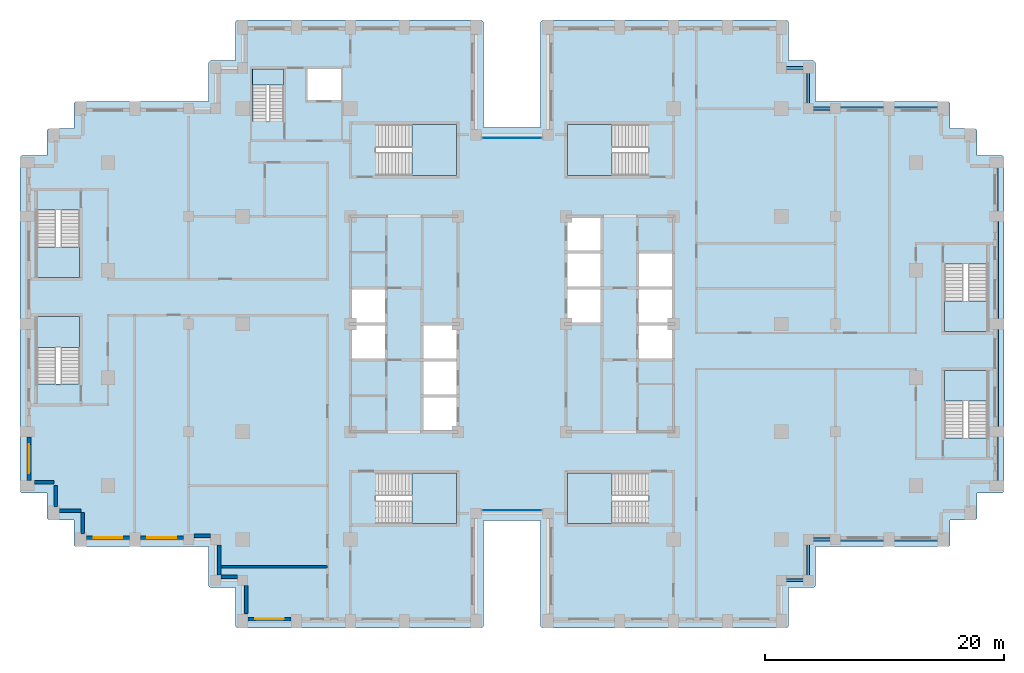
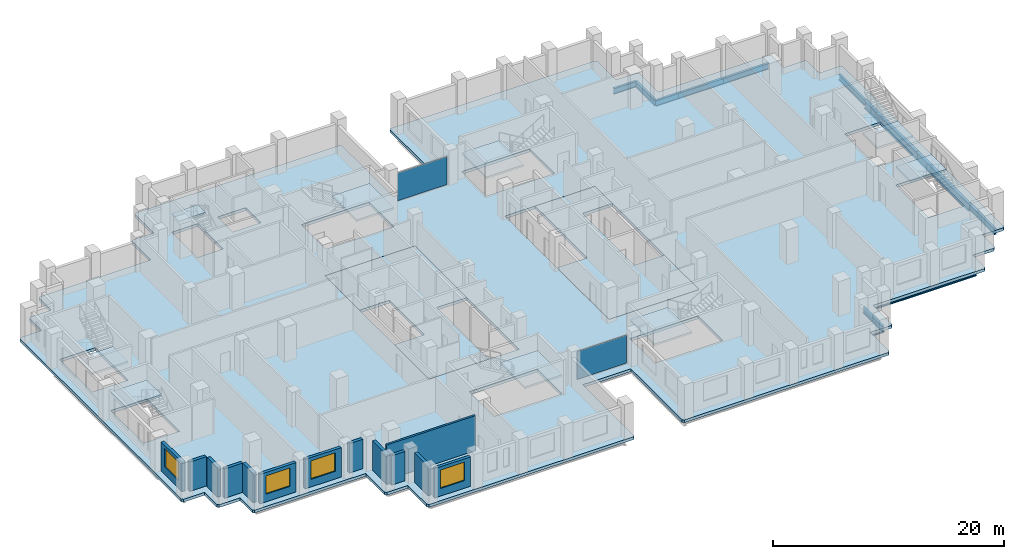
# One storey, part 5 of 15: 14 beams, 13 walls, 12 slabs, 4 windows, 2 plates, 4 openings, 11 elements without a shape of their own.
"""IFC4 building model written with IfcOpenShell, lengths in metres."""

from ifc_helpers import new_model, si_unit, direction, frame, frame_2d, origin, origin_2d, place, context, subcontext, project, spatial, polyline, rectangle, i_section, outline, extrude, material, layer, layer_set, material_profile, profile_set, type_object, element, fill, aggregate, save


model = new_model("IFC4")

# Units and contexts
model_context = context("Model", 3, precision=1e-05, world=origin(), true_north=direction((0.0, 1.0)))
body_context = subcontext(model_context, "Body", "Model", "MODEL_VIEW")
ifc_project = project(units=[si_unit("LENGTHUNIT", "METRE"), si_unit("AREAUNIT", "SQUARE_METRE"), si_unit("VOLUMEUNIT", "CUBIC_METRE"), si_unit("PLANEANGLEUNIT", "RADIAN"), si_unit("MASSUNIT", "GRAM", prefix="KILO")], contexts=[model_context])

# Site, building, storey
site_placement = place(None, origin())
site = spatial("IfcSite", under=ifc_project, at=site_placement, CompositionType="ELEMENT")
building_placement = place(site_placement, origin())
building = spatial("IfcBuilding", under=site, at=building_placement, Name="Corbelhall Arena Tower", CompositionType="ELEMENT")
storey_placement = place(building_placement, frame((0.0, 0.0, 80.0)))
storey = spatial("IfcBuildingStorey", under=building, at=storey_placement, Name="L12", CompositionType="ELEMENT", Elevation=80.0)

# Beams
ifc_material_1 = material(Name="Steel ASTM A992 Gr50", Category="steel")
ifc_material_profile_1 = material_profile(ifc_material_1, i_section(OverallWidth=0.23046875, OverallDepth=0.6171875, WebThickness=0.01318359375, FlangeThickness=0.022216796875, at=origin_2d()))
ifc_profile_set_1 = profile_set([ifc_material_profile_1], Name="Steel ASTM A992 Gr50")
beam_type_1 = type_object("IfcBeamType", Name="ST-SPANDREL-W24x94", PredefinedType="SPANDREL", material=ifc_profile_set_1)
for number, where, z_axis, x_axis, name in (
    (1, (40.5, 13.5, -0.608642578125), (0.0, -1.0, 0.0), (1.0, 0.0, 0.0), "Beam SP 10"),
    (2, (40.5, -9.0, -0.608642578125), (0.0, -1.0, 0.0), (1.0, 0.0, 0.0), "Beam SP 11"),
    (3, (31.5, 18.0, -0.608642578125), (1.0, 0.0, 0.0), (0.0, 1.0, 0.0), "Beam SP 12"),
    (4, (31.5, -18.0, -0.608642578125), (-1.0, 0.0, 0.0), (0.0, -1.0, 0.0), "Beam SP 13"),
    (5, (36.0, -18.0, -0.608642578125), (-1.0, 0.0, 0.0), (0.0, -1.0, 0.0), "Beam SP 14"),
    (6, (27.0, 18.0, -0.608642578125), (1.0, 0.0, 0.0), (0.0, 1.0, 0.0), "Beam SP 15"),
):
    element("IfcBeam", number, at=place(storey_placement, frame(where, z_axis=z_axis, x_axis=x_axis)), inside=storey, type_object=beam_type_1, Name=name, PredefinedType="SPANDREL", context=body_context, shape_type="SweptSolid", body=[
        extrude(i_section(OverallWidth=0.23046875, OverallDepth=0.6171875, WebThickness=0.01318359375, FlangeThickness=0.022216796875, at=origin_2d()), origin(), (0.0, 0.0, 1.0), 4.5),
    ])
for number, where, z_axis, x_axis, name in (
    (7, (27.0, -18.0, -0.608642578125), (-1.0, 0.0, 0.0), (0.0, -1.0, 0.0), "Beam SP 16"),
    (8, (22.5, 21.39990234375, -0.608642578125), (1.0, 0.0, 0.0), (0.0, 1.0, 0.0), "Beam SP 43"),
):
    element("IfcBeam", number, at=place(storey_placement, frame(where, z_axis=z_axis, x_axis=x_axis)), inside=storey, type_object=beam_type_1, Name=name, PredefinedType="SPANDREL", context=body_context, shape_type="SweptSolid", body=[
        extrude(i_section(OverallWidth=0.23046875, OverallDepth=0.6171875, WebThickness=0.01318359375, FlangeThickness=0.022216796875, at=origin_2d()), origin(), (0.0, 0.0, 1.0), 2.25),
    ])
beam_1_placement = place(storey_placement, frame((24.75, 21.39990234375, -0.608642578125), z_axis=(0.0, -1.0, 0.0), x_axis=(1.0, 0.0, 0.0)))
element("IfcBeam", 9, at=beam_1_placement, inside=storey, type_object=beam_type_1, Name="Beam SP 44", PredefinedType="SPANDREL", context=body_context, shape_type="SweptSolid", body=[
    extrude(i_section(OverallWidth=0.23046875, OverallDepth=0.6171875, WebThickness=0.01318359375, FlangeThickness=0.022216796875, at=origin_2d()), origin(), (0.0, 0.0, 1.0), 3.39990234375),
])
for number, where, z_axis, x_axis, name in (
    (10, (24.75, 18.0, -0.608642578125), (1.0, 0.0, 0.0), (0.0, 1.0, 0.0), "Beam SP 45"),
    (11, (24.75, -21.39990234375, -0.608642578125), (-1.0, 0.0, 0.0), (0.0, -1.0, 0.0), "Beam SP 50"),
):
    element("IfcBeam", number, at=place(storey_placement, frame(where, z_axis=z_axis, x_axis=x_axis)), inside=storey, type_object=beam_type_1, Name=name, PredefinedType="SPANDREL", context=body_context, shape_type="SweptSolid", body=[
        extrude(i_section(OverallWidth=0.23046875, OverallDepth=0.6171875, WebThickness=0.01318359375, FlangeThickness=0.022216796875, at=origin_2d()), origin(), (0.0, 0.0, 1.0), 2.25),
    ])
beam_2_placement = place(storey_placement, frame((24.75, -18.0, -0.608642578125), z_axis=(0.0, -1.0, 0.0), x_axis=(1.0, 0.0, 0.0)))
element("IfcBeam", 12, at=beam_2_placement, inside=storey, type_object=beam_type_1, Name="Beam SP 51", PredefinedType="SPANDREL", context=body_context, shape_type="SweptSolid", body=[
    extrude(i_section(OverallWidth=0.23046875, OverallDepth=0.6171875, WebThickness=0.01318359375, FlangeThickness=0.022216796875, at=origin_2d()), origin(), (0.0, 0.0, 1.0), 3.39990234375),
])
ifc_material_profile_2 = material_profile(ifc_material_1, i_section(OverallWidth=0.2919921875, OverallDepth=0.845703125, WebThickness=0.015380859375, FlangeThickness=0.0244140625, at=origin_2d()))
ifc_profile_set_2 = profile_set([ifc_material_profile_2], Name="Steel ASTM A992 Gr50")
beam_type_2 = type_object("IfcBeamType", Name="ST-SPANDREL-W33x141", PredefinedType="SPANDREL", material=ifc_profile_set_2)
for number, where, z_axis, x_axis, name in (
    (13, (40.5, 0.0, -0.722900390625), (0.0, -1.0, 0.0), (1.0, 0.0, 0.0), "Beam SP 8"),
    (14, (40.5, 9.0, -0.722900390625), (0.0, -1.0, 0.0), (1.0, 0.0, 0.0), "Beam SP 9"),
):
    element("IfcBeam", number, at=place(storey_placement, frame(where, z_axis=z_axis, x_axis=x_axis)), inside=storey, type_object=beam_type_2, Name=name, PredefinedType="SPANDREL", context=body_context, shape_type="SweptSolid", body=[
        extrude(i_section(OverallWidth=0.2919921875, OverallDepth=0.845703125, WebThickness=0.015380859375, FlangeThickness=0.0244140625, at=origin_2d()), origin(), (0.0, 0.0, 1.0), 9.0),
    ])

# Curtain wall, plate
ifc_material_2 = material(Name="Aluminium black anodised", Category="aluminium")
ifc_layer_1 = layer(ifc_material_2, 0.199951171875)
ifc_layer_set_1 = layer_set([ifc_layer_1], Name="EV-CW1 Slot back wall")
curtain_wall_type = type_object("IfcCurtainWallType", Name="EV-CW1 Slot back wall", PredefinedType="NOTDEFINED", material=ifc_layer_set_1)
curtain_wall_1_placement = place(storey_placement, origin())
curtain_wall_1 = element("IfcCurtainWall", 15, at=curtain_wall_1_placement, inside=storey, type_object=curtain_wall_type, Name="Curtain wall CW1", PredefinedType="NOTDEFINED")
ifc_material_3 = material(Name="Glass dark tinted laminated", Category="glass")
ifc_layer_2 = layer(ifc_material_3, 0.028076171875)
ifc_layer_set_2 = layer_set([ifc_layer_2], Name="EV-CW1-PANEL")
plate_type = type_object("IfcPlateType", Name="EV-CW1-PANEL", PredefinedType="CURTAIN_PANEL", material=ifc_layer_set_2)
plate_1_placement = place(storey_placement, frame((0.0, -15.550048828125, 0.0751953125), z_axis=(0.0, 0.0, 1.0), x_axis=(1.0, 0.0, 0.0)))
plate_1 = element("IfcPlate", 16, at=plate_1_placement, type_object=plate_type, Name="CW1 panel 1.1", PredefinedType="CURTAIN_PANEL", context=body_context, shape_type="SweptSolid", body=[
    extrude(rectangle(XDim=4.949951171875, YDim=0.028076171875, at=origin_2d()), origin(), (0.0, 0.0, 1.0), 2.949951171875),
])
aggregate(curtain_wall_1, [plate_1])

curtain_wall_2_placement = place(storey_placement, origin())
curtain_wall_2 = element("IfcCurtainWall", 17, at=curtain_wall_2_placement, inside=storey, type_object=curtain_wall_type, Name="Curtain wall CW1", PredefinedType="NOTDEFINED")
plate_2_placement = place(storey_placement, frame((0.0, 15.550048828125, 0.0751953125), z_axis=(0.0, 0.0, 1.0), x_axis=(-1.0, 0.0, 0.0)))
plate_2 = element("IfcPlate", 18, at=plate_2_placement, type_object=plate_type, Name="CW1 panel 1.1", PredefinedType="CURTAIN_PANEL", context=body_context, shape_type="SweptSolid", body=[
    extrude(rectangle(XDim=4.949951171875, YDim=0.028076171875, at=origin_2d()), origin(), (0.0, 0.0, 1.0), 2.949951171875),
])
aggregate(curtain_wall_2, [plate_2])

# Slabs
ifc_material_4 = material(Name="Concrete C40/50", Category="concrete")
ifc_layer_3 = layer(ifc_material_4, 0.300048828125)
ifc_layer_set_3 = layer_set([ifc_layer_3], Name="IN-SL-CORE")
slab_type_1 = type_object("IfcSlabType", Name="IN-SL-CORE", PredefinedType="FLOOR", material=ifc_layer_set_3)
slab_1_placement = place(storey_placement, frame((0.0, 0.0, -0.300048828125)))
element("IfcSlab", 19, at=slab_1_placement, inside=storey, type_object=slab_type_1, Name="Core floor W", PredefinedType="FLOOR", context=body_context, shape_type="SweptSolid", body=[
    extrude(outline(polyline([(-7.5, 0.0), (-4.5, 0.0), (-4.5, 9.0), (-13.5, 9.0), (-13.5, 3.0), (-10.5, 3.0), (-10.5, 0.0), (-10.5, -3.0), (-13.5, -3.0), (-13.5, -9.0), (-7.5, -9.0), (-7.5, -6.0), (-7.5, -3.0), (-7.5, 0.0)])), origin(), (0.0, 0.0, 1.0), 0.300048828125),
])
slab_2_placement = place(storey_placement, frame((0.0, 0.0, -0.300048828125)))
element("IfcSlab", 20, at=slab_2_placement, inside=storey, type_object=slab_type_1, Name="Core floor E", PredefinedType="FLOOR", context=body_context, shape_type="SweptSolid", body=[
    extrude(outline(polyline([(7.5, 0.0), (4.5, 0.0), (4.5, -9.0), (13.5, -9.0), (13.5, -3.0), (10.5, -3.0), (10.5, 0.0), (10.5, 3.0), (10.5, 6.0), (13.5, 6.0), (13.5, 9.0), (7.5, 9.0), (7.5, 6.0), (7.5, 3.0), (7.5, 0.0)])), origin(), (0.0, 0.0, 1.0), 0.300048828125),
])

# Stair, slab
stair_type = type_object("IfcStairType", Name="IN-ST-TOWER", PredefinedType="HALF_TURN_STAIR", material=ifc_material_4)
stair_1_placement = place(storey_placement, origin())
stair_1 = element("IfcStair", 21, at=stair_1_placement, inside=storey, type_object=stair_type, Name="L12 Exit stair ST1", PredefinedType="HALF_TURN_STAIR")
ifc_layer_4 = layer(ifc_material_4, 0.199951171875)
ifc_layer_set_4 = layer_set([ifc_layer_4], Name="IN-SL-LANDING")
slab_type_2 = type_object("IfcSlabType", Name="IN-SL-LANDING", PredefinedType="LANDING", material=ifc_layer_set_4)
slab_3_placement = place(storey_placement, frame((0.0, 0.0, 1.800048828125)))
slab_3 = element("IfcSlab", 22, at=slab_3_placement, type_object=slab_type_2, Name="ST1 landing 1", PredefinedType="LANDING", context=body_context, shape_type="SweptSolid", body=[
    extrude(outline(polyline([(-8.344970703125, 12.425048828125), (-4.625, 12.425048828125), (-4.625, 16.675048828125), (-8.344970703125, 16.675048828125), (-8.344970703125, 12.425048828125)])), origin(), (0.0, 0.0, 1.0), 0.199951171875),
])
aggregate(stair_1, [slab_3])

stair_2_placement = place(storey_placement, origin())
stair_2 = element("IfcStair", 23, at=stair_2_placement, inside=storey, type_object=stair_type, Name="L12 Exit stair ST2", PredefinedType="HALF_TURN_STAIR")
slab_4_placement = place(storey_placement, frame((0.0, 0.0, 1.800048828125)))
slab_4 = element("IfcSlab", 24, at=slab_4_placement, type_object=slab_type_2, Name="ST2 landing 1", PredefinedType="LANDING", context=body_context, shape_type="SweptSolid", body=[
    extrude(outline(polyline([(-8.344970703125, -16.675048828125), (-4.625, -16.675048828125), (-4.625, -12.425048828125), (-8.344970703125, -12.425048828125), (-8.344970703125, -16.675048828125)])), origin(), (0.0, 0.0, 1.0), 0.199951171875),
])
aggregate(stair_2, [slab_4])

stair_3_placement = place(storey_placement, origin())
stair_3 = element("IfcStair", 25, at=stair_3_placement, inside=storey, type_object=stair_type, Name="L12 Exit stair ST3", PredefinedType="HALF_TURN_STAIR")
slab_5_placement = place(storey_placement, frame((0.0, 0.0, 1.800048828125)))
slab_5 = element("IfcSlab", 26, at=slab_5_placement, type_object=slab_type_2, Name="ST3 landing 1", PredefinedType="LANDING", context=body_context, shape_type="SweptSolid", body=[
    extrude(outline(polyline([(8.344970703125, 16.675048828125), (4.625, 16.675048828125), (4.625, 12.425048828125), (8.344970703125, 12.425048828125), (8.344970703125, 16.675048828125)])), origin(), (0.0, 0.0, 1.0), 0.199951171875),
])
aggregate(stair_3, [slab_5])

stair_4_placement = place(storey_placement, origin())
stair_4 = element("IfcStair", 27, at=stair_4_placement, inside=storey, type_object=stair_type, Name="L12 Exit stair ST4", PredefinedType="HALF_TURN_STAIR")
slab_6_placement = place(storey_placement, frame((0.0, 0.0, 1.800048828125)))
slab_6 = element("IfcSlab", 28, at=slab_6_placement, type_object=slab_type_2, Name="ST4 landing 1", PredefinedType="LANDING", context=body_context, shape_type="SweptSolid", body=[
    extrude(outline(polyline([(8.344970703125, -12.425048828125), (4.625, -12.425048828125), (4.625, -16.675048828125), (8.344970703125, -16.675048828125), (8.344970703125, -12.425048828125)])), origin(), (0.0, 0.0, 1.0), 0.199951171875),
])
aggregate(stair_4, [slab_6])

stair_5_placement = place(storey_placement, origin())
stair_5 = element("IfcStair", 29, at=stair_5_placement, inside=storey, type_object=stair_type, Name="L12 Exit stair SC1", PredefinedType="HALF_TURN_STAIR")
slab_7_placement = place(storey_placement, frame((0.0, 0.0, 1.800048828125)))
slab_7 = element("IfcSlab", 30, at=slab_7_placement, type_object=slab_type_2, Name="SC1 landing 1", PredefinedType="LANDING", context=body_context, shape_type="SweptSolid", body=[
    extrude(outline(polyline([(-39.699951171875, 6.445068359375), (-39.699951171875, 3.875), (-36.125, 3.875), (-36.125, 6.445068359375), (-39.699951171875, 6.445068359375)])), origin(), (0.0, 0.0, 1.0), 0.199951171875),
])
aggregate(stair_5, [slab_7])

stair_6_placement = place(storey_placement, origin())
stair_6 = element("IfcStair", 31, at=stair_6_placement, inside=storey, type_object=stair_type, Name="L12 Exit stair SC2", PredefinedType="HALF_TURN_STAIR")
slab_8_placement = place(storey_placement, frame((0.0, 0.0, 1.800048828125)))
slab_8 = element("IfcSlab", 32, at=slab_8_placement, type_object=slab_type_2, Name="SC2 landing 1", PredefinedType="LANDING", context=body_context, shape_type="SweptSolid", body=[
    extrude(outline(polyline([(-36.125, -1.945068359375), (-36.125, 0.625), (-39.699951171875, 0.625), (-39.699951171875, -1.945068359375), (-36.125, -1.945068359375)])), origin(), (0.0, 0.0, 1.0), 0.199951171875),
])
aggregate(stair_6, [slab_8])

stair_7_placement = place(storey_placement, origin())
stair_7 = element("IfcStair", 33, at=stair_7_placement, inside=storey, type_object=stair_type, Name="L12 Exit stair SD1", PredefinedType="HALF_TURN_STAIR")
slab_9_placement = place(storey_placement, frame((0.0, 0.0, 1.800048828125)))
slab_9 = element("IfcSlab", 34, at=slab_9_placement, type_object=slab_type_2, Name="SD1 landing 1", PredefinedType="LANDING", context=body_context, shape_type="SweptSolid", body=[
    extrude(outline(polyline([(39.699951171875, -6.445068359375), (39.699951171875, -3.875), (36.125, -3.875), (36.125, -6.445068359375), (39.699951171875, -6.445068359375)])), origin(), (0.0, 0.0, 1.0), 0.199951171875),
])
aggregate(stair_7, [slab_9])

stair_8_placement = place(storey_placement, origin())
stair_8 = element("IfcStair", 35, at=stair_8_placement, inside=storey, type_object=stair_type, Name="L12 Exit stair SD2", PredefinedType="HALF_TURN_STAIR")
slab_10_placement = place(storey_placement, frame((0.0, 0.0, 1.800048828125)))
slab_10 = element("IfcSlab", 36, at=slab_10_placement, type_object=slab_type_2, Name="SD2 landing 1", PredefinedType="LANDING", context=body_context, shape_type="SweptSolid", body=[
    extrude(outline(polyline([(36.125, 1.945068359375), (36.125, -0.625), (39.699951171875, -0.625), (39.699951171875, 1.945068359375), (36.125, 1.945068359375)])), origin(), (0.0, 0.0, 1.0), 0.199951171875),
])
aggregate(stair_8, [slab_10])

stair_9_placement = place(storey_placement, origin())
stair_9 = element("IfcStair", 37, at=stair_9_placement, inside=storey, type_object=stair_type, Name="L12 Exit stair ST5", PredefinedType="HALF_TURN_STAIR")
slab_11_placement = place(storey_placement, frame((0.0, 0.0, 1.800048828125)))
slab_11 = element("IfcSlab", 38, at=slab_11_placement, type_object=slab_type_2, Name="ST5 landing 1", PredefinedType="LANDING", context=body_context, shape_type="SweptSolid", body=[
    extrude(outline(polyline([(-19.094970703125, 19.97998046875), (-19.094970703125, 21.300048828125), (-21.695068359375, 21.300048828125), (-21.695068359375, 19.97998046875), (-19.094970703125, 19.97998046875)])), origin(), (0.0, 0.0, 1.0), 0.199951171875),
])
aggregate(stair_9, [slab_11])

# Slab
ifc_layer_5 = layer(ifc_material_4, 0.300048828125)
ifc_layer_set_5 = layer_set([ifc_layer_5], Name="ST-SLAB-FLOOR-300")
slab_type_3 = type_object("IfcSlabType", Name="ST-SLAB-FLOOR-300", PredefinedType="FLOOR", material=ifc_layer_set_5)
slab_12_placement = place(storey_placement, frame((0.0, 0.0, -0.300048828125)))
element("IfcSlab", 39, at=slab_12_placement, inside=storey, type_object=slab_type_3, Name="Floor slab L12 1", PredefinedType="FLOOR", context=body_context, shape_type="SweptSolid", body=[
    extrude(outline(polyline([(25.35009765625, 18.60009765625), (25.35009765625, 21.85009765625), (25.199951171875, 22.0), (23.10009765625, 22.0), (23.10009765625, 25.25), (22.949951171875, 25.39990234375), (2.550048828125, 25.39990234375), (2.39990234375, 25.25), (2.39990234375, 16.39990234375), (-2.39990234375, 16.39990234375), (-2.39990234375, 25.25), (-2.550048828125, 25.39990234375), (-22.949951171875, 25.39990234375), (-23.10009765625, 25.25), (-23.10009765625, 22.0), (-25.199951171875, 22.0), (-25.35009765625, 21.85009765625), (-25.35009765625, 18.60009765625), (-36.449951171875, 18.60009765625), (-36.60009765625, 18.449951171875), (-36.60009765625, 16.35009765625), (-38.699951171875, 16.35009765625), (-38.85009765625, 16.199951171875), (-38.85009765625, 14.10009765625), (-40.949951171875, 14.10009765625), (-41.10009765625, 13.949951171875), (-41.10009765625, -13.949951171875), (-40.949951171875, -14.10009765625), (-38.85009765625, -14.10009765625), (-38.85009765625, -16.199951171875), (-38.699951171875, -16.35009765625), (-36.60009765625, -16.35009765625), (-36.60009765625, -18.449951171875), (-36.449951171875, -18.60009765625), (-25.35009765625, -18.60009765625), (-25.35009765625, -21.85009765625), (-25.199951171875, -22.0), (-23.10009765625, -22.0), (-23.10009765625, -25.25), (-22.949951171875, -25.39990234375), (-2.550048828125, -25.39990234375), (-2.39990234375, -25.25), (-2.39990234375, -16.39990234375), (2.39990234375, -16.39990234375), (2.39990234375, -25.25), (2.550048828125, -25.39990234375), (22.949951171875, -25.39990234375), (23.10009765625, -25.25), (23.10009765625, -22.0), (25.199951171875, -22.0), (25.35009765625, -21.85009765625), (25.35009765625, -18.60009765625), (36.449951171875, -18.60009765625), (36.60009765625, -18.449951171875), (36.60009765625, -16.35009765625), (38.699951171875, -16.35009765625), (38.85009765625, -16.199951171875), (38.85009765625, -14.10009765625), (40.949951171875, -14.10009765625), (41.10009765625, -13.949951171875), (41.10009765625, 13.949951171875), (40.949951171875, 14.10009765625), (38.85009765625, 14.10009765625), (38.85009765625, 16.199951171875), (38.699951171875, 16.35009765625), (36.60009765625, 16.35009765625), (36.60009765625, 18.449951171875), (36.449951171875, 18.60009765625), (25.35009765625, 18.60009765625)]), holes=[polyline([(-13.5, 9.0), (-13.5, -9.0), (-4.5, -9.0), (-4.5, 9.0), (-13.5, 9.0)]), polyline([(4.5, 9.0), (4.5, -9.0), (13.5, -9.0), (13.5, 9.0), (4.5, 9.0)]), polyline([(-4.625, 16.675048828125), (-11.422119140625, 16.675048828125), (-11.422119140625, 12.425048828125), (-4.625, 12.425048828125), (-4.625, 16.675048828125)]), polyline([(-4.625, -16.675048828125), (-4.625, -12.425048828125), (-11.422119140625, -12.425048828125), (-11.422119140625, -16.675048828125), (-4.625, -16.675048828125)]), polyline([(11.422119140625, 16.675048828125), (4.625, 16.675048828125), (4.625, 12.425048828125), (11.422119140625, 12.425048828125), (11.422119140625, 16.675048828125)]), polyline([(11.422119140625, -16.675048828125), (11.422119140625, -12.425048828125), (4.625, -12.425048828125), (4.625, -16.675048828125), (11.422119140625, -16.675048828125)]), polyline([(-36.125, 3.875), (-36.125, 9.52197265625), (-39.699951171875, 9.52197265625), (-39.699951171875, 3.875), (-36.125, 3.875)]), polyline([(-36.125, 0.625), (-39.699951171875, 0.625), (-39.699951171875, -5.02197265625), (-36.125, -5.02197265625), (-36.125, 0.625)]), polyline([(39.699951171875, -9.52197265625), (39.699951171875, -3.875), (36.125, -3.875), (36.125, -9.52197265625), (39.699951171875, -9.52197265625)]), polyline([(39.699951171875, 5.02197265625), (36.125, 5.02197265625), (36.125, -0.625), (39.699951171875, -0.625), (39.699951171875, 5.02197265625)]), polyline([(-21.695068359375, 21.300048828125), (-21.695068359375, 16.903076171875), (-19.094970703125, 16.903076171875), (-19.094970703125, 21.300048828125), (-21.695068359375, 21.300048828125)]), polyline([(-14.300048828125, 21.300048828125), (-17.10009765625, 21.300048828125), (-17.10009765625, 18.699951171875), (-14.300048828125, 18.699951171875), (-14.300048828125, 21.300048828125)])]), origin(), (0.0, 0.0, 1.0), 0.300048828125),
])

# Walls
ifc_material_5 = material(Name="Precast concrete C40/50 with granite facing", Category="masonry")
ifc_layer_6 = layer(ifc_material_5, 0.300048828125)
ifc_layer_set_6 = layer_set([ifc_layer_6], Name="EV-IW1 Infill panel 300")
wall_type_1 = type_object("IfcWallType", Name="EV-IW1 Infill panel 300", PredefinedType="SOLIDWALL", material=ifc_layer_set_6)
wall_1_placement = place(storey_placement, frame((-39.89990234375, -13.199951171875, 0.0), z_axis=(0.0, 0.0, 1.0), x_axis=(1.0, 0.0, 0.0)))
element("IfcWall", 40, at=wall_1_placement, inside=storey, type_object=wall_type_1, Name="Infill panel IW1", PredefinedType="SOLIDWALL", context=body_context, shape_type="SweptSolid", body=[
    extrude(rectangle(XDim=1.64990234375, YDim=0.300048828125, at=frame_2d((0.824951171875, 0.0))), origin(), (0.0, 0.0, 1.0), 3.10009765625),
])
for number, where, z_axis, x_axis, name in (
    (41, (-38.10009765625, -15.300048828125, 0.0), (0.0, 0.0, 1.0), (0.0, 1.0, 0.0), "Infill panel IW1"),
    (42, (-37.800048828125, -15.60009765625, 0.0), (0.0, 0.0, 1.0), (1.0, 0.0, 0.0), "Infill panel IW1"),
    (43, (-35.85009765625, -17.550048828125, 0.0), (0.0, 0.0, 1.0), (0.0, 1.0, 0.0), "Infill panel IW1"),
):
    element("IfcWall", number, at=place(storey_placement, frame(where, z_axis=z_axis, x_axis=x_axis)), inside=storey, type_object=wall_type_1, Name=name, PredefinedType="SOLIDWALL", context=body_context, shape_type="SweptSolid", body=[
        extrude(rectangle(XDim=1.800048828125, YDim=0.300048828125, at=frame_2d((0.89990234375, 0.0))), origin(), (0.0, 0.0, 1.0), 3.10009765625),
    ])

# Wall, opening, window
wall_2_placement = place(storey_placement, frame((-40.35009765625, -9.449951171875, 0.0), z_axis=(0.0, 0.0, 1.0), x_axis=(0.0, -1.0, 0.0)))
wall_2 = element("IfcWall", 44, at=wall_2_placement, inside=storey, type_object=wall_type_1, Name="Infill panel IW1", PredefinedType="SOLIDWALL", context=body_context, shape_type="SweptSolid", body=[
    extrude(rectangle(XDim=3.60009765625, YDim=0.300048828125, at=frame_2d((1.800048828125, 0.0))), origin(), (0.0, 0.0, 1.0), 3.10009765625),
])
opening_1_placement = place(wall_2_placement, frame((0.60009765625, 0.0, 0.800048828125)))
opening_1 = element("IfcOpeningElement", 45, at=opening_1_placement, cuts=wall_2, Name="Opening WN1", PredefinedType="OPENING", context=body_context, shape_type="SweptSolid", body=[
    extrude(rectangle(XDim=2.39990234375, YDim=1.949951171875, at=frame_2d((1.199951171875, 0.97509765625))), frame((0.0, 0.14990234375, 0.0), z_axis=(0.0, -1.0, 0.0), x_axis=(1.0, 0.0, 0.0)), (0.0, 0.0, 1.0), 0.300048828125),
])
window_type = type_object("IfcWindowType", Name="EV-WN1 Office window", PartitioningType="SINGLE_PANEL", PredefinedType="WINDOW", material=ifc_material_2)
window_1_placement = place(opening_1_placement, origin())
window_1 = element("IfcWindow", 46, at=window_1_placement, inside=storey, type_object=window_type, Name="Window WN1", OverallHeight=1.949951171875, OverallWidth=2.39990234375, PartitioningType="SINGLE_PANEL", PredefinedType="WINDOW", context=body_context, shape_type="SweptSolid", body=[
    extrude(rectangle(XDim=2.39990234375, YDim=1.949951171875, at=frame_2d((1.199951171875, 0.97509765625))), frame((0.0, 0.030029296875, 0.0), z_axis=(0.0, -1.0, 0.0), x_axis=(1.0, 0.0, 0.0)), (0.0, 0.0, 1.0), 0.06005859375),
])
fill(opening_1, window_1)

wall_3_placement = place(storey_placement, frame((-35.550048828125, -17.85009765625, 0.0), z_axis=(0.0, 0.0, 1.0), x_axis=(1.0, 0.0, 0.0)))
wall_3 = element("IfcWall", 47, at=wall_3_placement, inside=storey, type_object=wall_type_1, Name="Infill panel IW1", PredefinedType="SOLIDWALL", context=body_context, shape_type="SweptSolid", body=[
    extrude(rectangle(XDim=3.60009765625, YDim=0.300048828125, at=frame_2d((1.800048828125, 0.0))), origin(), (0.0, 0.0, 1.0), 3.10009765625),
])
opening_2_placement = place(wall_3_placement, frame((0.60009765625, 0.0, 0.800048828125)))
opening_2 = element("IfcOpeningElement", 48, at=opening_2_placement, cuts=wall_3, Name="Opening WN1", PredefinedType="OPENING", context=body_context, shape_type="SweptSolid", body=[
    extrude(rectangle(XDim=2.39990234375, YDim=1.949951171875, at=frame_2d((1.199951171875, 0.97509765625))), frame((0.0, 0.14990234375, 0.0), z_axis=(0.0, -1.0, 0.0), x_axis=(1.0, 0.0, 0.0)), (0.0, 0.0, 1.0), 0.300048828125),
])
window_2_placement = place(opening_2_placement, origin())
window_2 = element("IfcWindow", 49, at=window_2_placement, inside=storey, type_object=window_type, Name="Window WN1", OverallHeight=1.949951171875, OverallWidth=2.39990234375, PartitioningType="SINGLE_PANEL", PredefinedType="WINDOW", context=body_context, shape_type="SweptSolid", body=[
    extrude(rectangle(XDim=2.39990234375, YDim=1.949951171875, at=frame_2d((1.199951171875, 0.97509765625))), frame((0.0, 0.030029296875, 0.0), z_axis=(0.0, -1.0, 0.0), x_axis=(1.0, 0.0, 0.0)), (0.0, 0.0, 1.0), 0.06005859375),
])
fill(opening_2, window_2)

wall_4_placement = place(storey_placement, frame((-31.050048828125, -17.85009765625, 0.0), z_axis=(0.0, 0.0, 1.0), x_axis=(1.0, 0.0, 0.0)))
wall_4 = element("IfcWall", 50, at=wall_4_placement, inside=storey, type_object=wall_type_1, Name="Infill panel IW1", PredefinedType="SOLIDWALL", context=body_context, shape_type="SweptSolid", body=[
    extrude(rectangle(XDim=3.60009765625, YDim=0.300048828125, at=frame_2d((1.800048828125, 0.0))), origin(), (0.0, 0.0, 1.0), 3.10009765625),
])
opening_3_placement = place(wall_4_placement, frame((0.60009765625, 0.0, 0.800048828125)))
opening_3 = element("IfcOpeningElement", 51, at=opening_3_placement, cuts=wall_4, Name="Opening WN1", PredefinedType="OPENING", context=body_context, shape_type="SweptSolid", body=[
    extrude(rectangle(XDim=2.39990234375, YDim=1.949951171875, at=frame_2d((1.199951171875, 0.97509765625))), frame((0.0, 0.14990234375, 0.0), z_axis=(0.0, -1.0, 0.0), x_axis=(1.0, 0.0, 0.0)), (0.0, 0.0, 1.0), 0.300048828125),
])
window_3_placement = place(opening_3_placement, origin())
window_3 = element("IfcWindow", 52, at=window_3_placement, inside=storey, type_object=window_type, Name="Window WN1", OverallHeight=1.949951171875, OverallWidth=2.39990234375, PartitioningType="SINGLE_PANEL", PredefinedType="WINDOW", context=body_context, shape_type="SweptSolid", body=[
    extrude(rectangle(XDim=2.39990234375, YDim=1.949951171875, at=frame_2d((1.199951171875, 0.97509765625))), frame((0.0, 0.030029296875, 0.0), z_axis=(0.0, -1.0, 0.0), x_axis=(1.0, 0.0, 0.0)), (0.0, 0.0, 1.0), 0.06005859375),
])
fill(opening_3, window_3)

# Walls
wall_5_placement = place(storey_placement, frame((-26.550048828125, -17.699951171875, 0.0), z_axis=(0.0, 0.0, 1.0), x_axis=(1.0, 0.0, 0.0)))
element("IfcWall", 53, at=wall_5_placement, inside=storey, type_object=wall_type_1, Name="Infill panel IW1", PredefinedType="SOLIDWALL", context=body_context, shape_type="SweptSolid", body=[
    extrude(rectangle(XDim=1.35009765625, YDim=0.300048828125, at=frame_2d((0.675048828125, 0.0))), origin(), (0.0, 0.0, 1.0), 3.10009765625),
])
wall_6_placement = place(storey_placement, frame((-24.449951171875, -18.449951171875, 0.0), z_axis=(0.0, 0.0, 1.0), x_axis=(0.0, -1.0, 0.0)))
element("IfcWall", 54, at=wall_6_placement, inside=storey, type_object=wall_type_1, Name="Infill panel IW1", PredefinedType="SOLIDWALL", context=body_context, shape_type="SweptSolid", body=[
    extrude(rectangle(XDim=2.5, YDim=0.300048828125, at=frame_2d((1.25, 0.0))), origin(), (0.0, 0.0, 1.0), 3.10009765625),
])
wall_7_placement = place(storey_placement, frame((-24.300048828125, -21.10009765625, 0.0), z_axis=(0.0, 0.0, 1.0), x_axis=(1.0, 0.0, 0.0)))
element("IfcWall", 55, at=wall_7_placement, inside=storey, type_object=wall_type_1, Name="Infill panel IW1", PredefinedType="SOLIDWALL", context=body_context, shape_type="SweptSolid", body=[
    extrude(rectangle(XDim=1.35009765625, YDim=0.300048828125, at=frame_2d((0.675048828125, 0.0))), origin(), (0.0, 0.0, 1.0), 3.10009765625),
])
wall_8_placement = place(storey_placement, frame((-22.199951171875, -21.85009765625, 0.0), z_axis=(0.0, 0.0, 1.0), x_axis=(0.0, -1.0, 0.0)))
element("IfcWall", 56, at=wall_8_placement, inside=storey, type_object=wall_type_1, Name="Infill panel IW1", PredefinedType="SOLIDWALL", context=body_context, shape_type="SweptSolid", body=[
    extrude(rectangle(XDim=2.349853515625, YDim=0.300048828125, at=frame_2d((1.1748046875, 0.0))), origin(), (0.0, 0.0, 1.0), 3.10009765625),
])

# Wall, opening, window
wall_9_placement = place(storey_placement, frame((-22.050048828125, -24.64990234375, 0.0), z_axis=(0.0, 0.0, 1.0), x_axis=(1.0, 0.0, 0.0)))
wall_9 = element("IfcWall", 57, at=wall_9_placement, inside=storey, type_object=wall_type_1, Name="Infill panel IW1", PredefinedType="SOLIDWALL", context=body_context, shape_type="SweptSolid", body=[
    extrude(rectangle(XDim=3.60009765625, YDim=0.300048828125, at=frame_2d((1.800048828125, 0.0))), origin(), (0.0, 0.0, 1.0), 3.10009765625),
])
opening_4_placement = place(wall_9_placement, frame((0.60009765625, 0.0, 0.800048828125)))
opening_4 = element("IfcOpeningElement", 58, at=opening_4_placement, cuts=wall_9, Name="Opening WN1", PredefinedType="OPENING", context=body_context, shape_type="SweptSolid", body=[
    extrude(rectangle(XDim=2.39990234375, YDim=1.949951171875, at=frame_2d((1.199951171875, 0.97509765625))), frame((0.0, 0.14990234375, 0.0), z_axis=(0.0, -1.0, 0.0), x_axis=(1.0, 0.0, 0.0)), (0.0, 0.0, 1.0), 0.300048828125),
])
window_4_placement = place(opening_4_placement, origin())
window_4 = element("IfcWindow", 59, at=window_4_placement, inside=storey, type_object=window_type, Name="Window WN1", OverallHeight=1.949951171875, OverallWidth=2.39990234375, PartitioningType="SINGLE_PANEL", PredefinedType="WINDOW", context=body_context, shape_type="SweptSolid", body=[
    extrude(rectangle(XDim=2.39990234375, YDim=1.949951171875, at=frame_2d((1.199951171875, 0.97509765625))), frame((0.0, 0.030029296875, 0.0), z_axis=(0.0, -1.0, 0.0), x_axis=(1.0, 0.0, 0.0)), (0.0, 0.0, 1.0), 0.06005859375),
])
fill(opening_4, window_4)

# Wall
ifc_material_6 = material(Name="Gypsum board on steel stud, acoustic", Category="steel")
ifc_layer_7 = layer(ifc_material_6, 0.199951171875)
ifc_layer_set_7 = layer_set([ifc_layer_7], Name="IN-W-DM200")
wall_type_2 = type_object("IfcWallType", Name="IN-W-DM200", PredefinedType="PARTITIONING", material=ifc_layer_set_7)
wall_10_placement = place(storey_placement, frame((-24.300048828125, -20.27490234375, 0.0), z_axis=(0.0, 0.0, 1.0), x_axis=(1.0, 0.0, 0.0)))
element("IfcWall", 60, at=wall_10_placement, inside=storey, type_object=wall_type_2, Name="Partition 012", PredefinedType="PARTITIONING", context=body_context, shape_type="SweptSolid", body=[
    extrude(rectangle(XDim=8.900146484375, YDim=0.199951171875, at=frame_2d((4.4501953125, 0.0))), origin(), (0.0, 0.0, 1.0), 3.699951171875),
])

save(model, "model.ifc")
